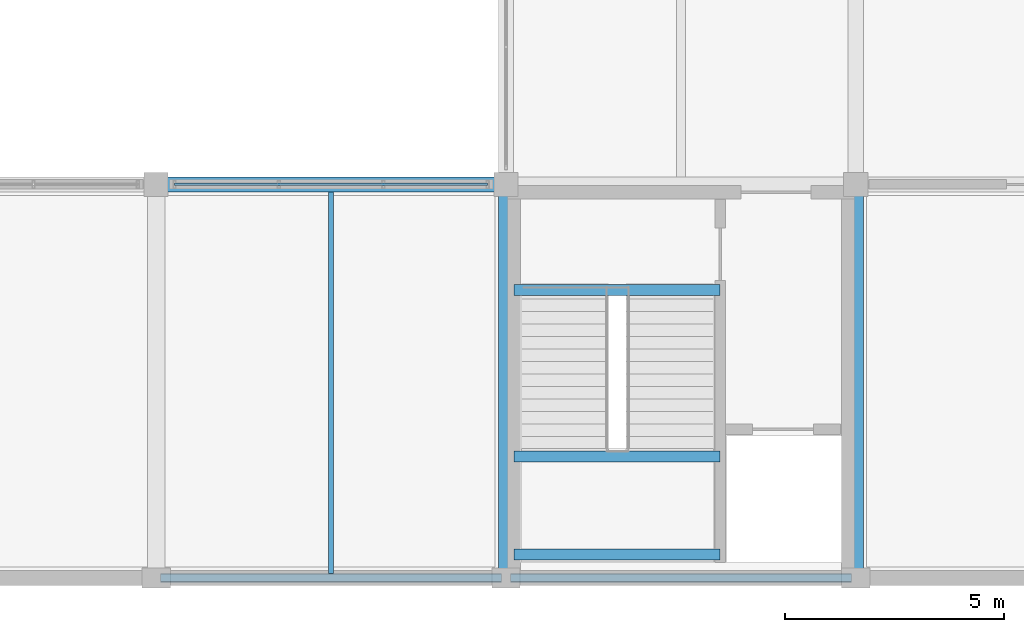
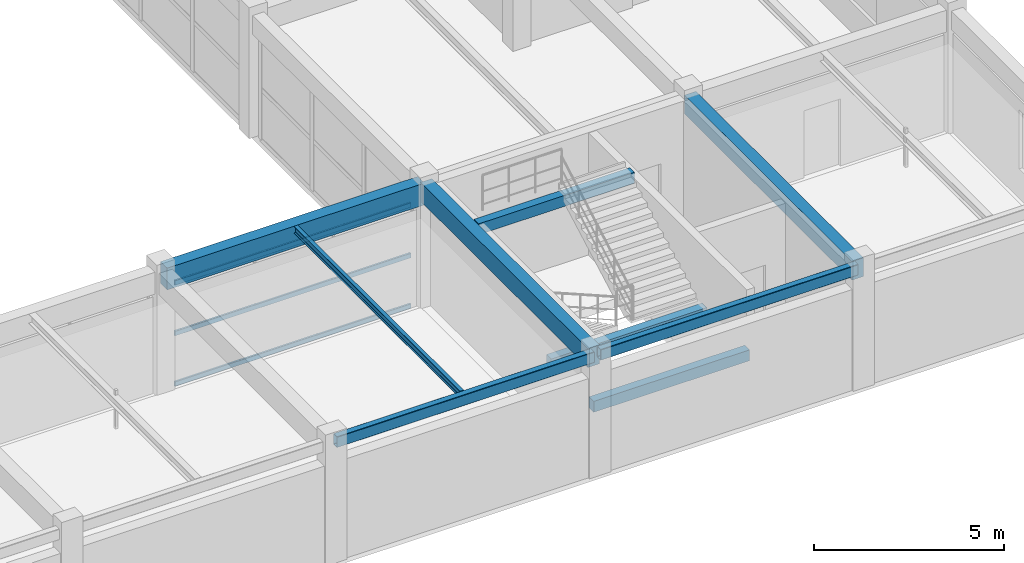
# One storey, part 17 of 63: 9 beams, 3 members, 1 element without a shape of its own.
"""IFC4 building model written with IfcOpenShell, lengths in metres."""

from ifc_helpers import new_model, si_unit, direction, frame, origin, origin_2d, place, context, subcontext, project, spatial, rectangle, hollow_rectangle, i_section, extrude, material, material_profile, profile_set, type_object, element, aggregate, save


model = new_model("IFC4")

# Units and contexts
model_context = context("Model", 3, precision=1e-05, world=origin(), true_north=direction((0.0, 1.0)))
body_context = subcontext(model_context, "Body", "Model", "MODEL_VIEW")
ifc_project = project(units=[si_unit("LENGTHUNIT", "METRE"), si_unit("AREAUNIT", "SQUARE_METRE"), si_unit("VOLUMEUNIT", "CUBIC_METRE"), si_unit("PLANEANGLEUNIT", "RADIAN"), si_unit("MASSUNIT", "GRAM", prefix="KILO")], contexts=[model_context])

# Site, building, storey
site_placement = place(None, origin())
site = spatial("IfcSite", under=ifc_project, at=site_placement, CompositionType="ELEMENT")
building_placement = place(site_placement, origin())
building = spatial("IfcBuilding", under=site, at=building_placement, Name="Varnabhumi Central Station", CompositionType="ELEMENT")
storey_placement = place(building_placement, frame((0.0, 0.0, 20.39990234375)))
storey = spatial("IfcBuildingStorey", under=building, at=storey_placement, Name="L04", CompositionType="ELEMENT", Elevation=20.39990234375)

# Beams
ifc_material_1 = material(Name="Concrete M35", Category="concrete")
ifc_material_profile_1 = material_profile(ifc_material_1, rectangle(XDim=0.25, YDim=0.35009765625, at=origin_2d()), Name="Concrete M35", Category="concrete")
ifc_profile_set_1 = profile_set([ifc_material_profile_1], Name="Concrete M35")
beam_type_1 = type_object("IfcBeamType", Name="BM-RC-250x350", PredefinedType="LINTEL", material=ifc_profile_set_1)
for number, where, z_axis, x_axis, name in (
    (1, (144.179931640625, 0.5400390625, 1.7451171875), (1.0, 0.0, 0.0), (0.0, 1.0, 0.0), "ST-S3 L04 Half Landing Support Beam 1"),
    (2, (144.179931640625, 2.77490234375, 1.7451171875), (1.0, 0.0, 0.0), (0.0, 1.0, 0.0), "ST-S3 L04 Half Landing Support Beam 2"),
    (3, (144.179931640625, 6.580078125, 3.775146484375), (1.0, 0.0, 0.0), (0.0, 1.0, 0.0), "ST-S3 L04 Floor Opening Trimmer Beam"),
):
    element("IfcBeam", number, at=place(storey_placement, frame(where, z_axis=z_axis, x_axis=x_axis)), inside=storey, type_object=beam_type_1, Name=name, PredefinedType="LINTEL", context=body_context, shape_type="SweptSolid", body=[
        extrude(rectangle(XDim=0.25, YDim=0.35009765625, at=origin_2d()), origin(), (0.0, 0.0, 1.0), 4.719970703125),
    ])
ifc_material_2 = material(Name="Concrete M40", Category="concrete")
ifc_material_profile_2 = material_profile(ifc_material_2, rectangle(XDim=0.35009765625, YDim=0.60009765625, at=origin_2d()), Name="Concrete M40", Category="concrete")
ifc_profile_set_2 = profile_set([ifc_material_profile_2], Name="Concrete M40")
beam_type_2 = type_object("IfcBeamType", Name="BM-RC-350x600", PredefinedType="BEAM", material=ifc_profile_set_2)
for number, where, z_axis, x_axis, name in (
    (4, (144.0, 0.10009765625, 3.6201171875), (0.0, 1.0, 0.0), (-1.0, 0.0, 0.0), "Beam L04-19:A-B"),
    (5, (152.0, 0.10009765625, 3.6201171875), (0.0, 1.0, 0.0), (-1.0, 0.0, 0.0), "Beam L04-20:A-B"),
):
    element("IfcBeam", number, at=place(storey_placement, frame(where, z_axis=z_axis, x_axis=x_axis)), inside=storey, type_object=beam_type_2, Name=name, PredefinedType="BEAM", context=body_context, shape_type="SweptSolid", body=[
        extrude(rectangle(XDim=0.35009765625, YDim=0.60009765625, at=origin_2d()), origin(), (0.0, 0.0, 1.0), 8.7998046875),
    ])
ifc_material_profile_3 = material_profile(ifc_material_2, rectangle(XDim=0.35009765625, YDim=0.699951171875, at=origin_2d()), Name="Concrete M40", Category="concrete")
ifc_profile_set_3 = profile_set([ifc_material_profile_3], Name="Concrete M40")
beam_type_3 = type_object("IfcBeamType", Name="BM-RC-350x700", PredefinedType="BEAM", material=ifc_profile_set_3)
beam_1_placement = place(storey_placement, frame((136.10009765625, 9.0, 3.570068359375), z_axis=(1.0, 0.0, 0.0), x_axis=(0.0, 1.0, 0.0)))
element("IfcBeam", 6, at=beam_1_placement, inside=storey, type_object=beam_type_3, Name="Beam L04-B:18-19", PredefinedType="BEAM", context=body_context, shape_type="SweptSolid", body=[
    extrude(rectangle(XDim=0.35009765625, YDim=0.699951171875, at=origin_2d()), origin(), (0.0, 0.0, 1.0), 7.7998046875),
])
ifc_material_3 = material(Name="Structural steel E350", Category="steel")
ifc_material_profile_4 = material_profile(ifc_material_3, i_section(OverallWidth=0.110107421875, OverallDepth=0.22509765625, WebThickness=0.006591796875, FlangeThickness=0.01171875, FilletRadius=0.011962890625, at=origin_2d()), Name="Structural steel E350", Category="steel")
ifc_profile_set_4 = profile_set([ifc_material_profile_4], Name="Structural steel E350")
beam_type_4 = type_object("IfcBeamType", Name="BM-STL-ISMB225", PredefinedType="JOIST", material=ifc_profile_set_4)
beam_2_placement = place(storey_placement, frame((140.0, 0.10009765625, 3.8076171875), z_axis=(0.0, 1.0, 0.0), x_axis=(-1.0, 0.0, 0.0)))
element("IfcBeam", 7, at=beam_2_placement, inside=storey, type_object=beam_type_4, Name="Secondary Joist L04-18/19:A-B", PredefinedType="JOIST", context=body_context, shape_type="SweptSolid", body=[
    extrude(i_section(OverallWidth=0.110107421875, OverallDepth=0.22509765625, WebThickness=0.006591796875, FlangeThickness=0.01171875, FilletRadius=0.011962890625, at=origin_2d()), origin(), (0.0, 0.0, 1.0), 8.724853515625),
])
ifc_material_profile_5 = material_profile(ifc_material_3, hollow_rectangle(XDim=0.199951171875, YDim=0.35009765625, WallThickness=0.011962890625, InnerFilletRadius=0.011962890625, OuterFilletRadius=0.02392578125, at=origin_2d()), Name="Structural steel E350", Category="steel")
ifc_profile_set_5 = profile_set([ifc_material_profile_5], Name="Structural steel E350")
beam_type_5 = type_object("IfcBeamType", Name="BM-STL-RHS350", PredefinedType="SPANDREL", material=ifc_profile_set_5)
for number, where, z_axis, x_axis, name in (
    (8, (136.10009765625, 0.0, 3.7451171875), (1.0, 0.0, 0.0), (0.0, 1.0, 0.0), "Beam L04-A:18-19"),
    (9, (144.10009765625, 0.0, 3.7451171875), (1.0, 0.0, 0.0), (0.0, 1.0, 0.0), "Beam L04-A:19-20"),
):
    element("IfcBeam", number, at=place(storey_placement, frame(where, z_axis=z_axis, x_axis=x_axis)), inside=storey, type_object=beam_type_5, Name=name, PredefinedType="SPANDREL", context=body_context, shape_type="SweptSolid", body=[
        extrude(hollow_rectangle(XDim=0.199951171875, YDim=0.35009765625, WallThickness=0.011962890625, InnerFilletRadius=0.011962890625, OuterFilletRadius=0.02392578125, at=origin_2d()), origin(), (0.0, 0.0, 1.0), 7.7998046875),
    ])

# Curtain wall, members
ifc_material_4 = material(Name="Anodised aluminium 6063-T6", Category="aluminium")
curtain_wall_type = type_object("IfcCurtainWallType", Name="CW-PATIO-LOGGIA-L3", PredefinedType="NOTDEFINED", material=ifc_material_4)
curtain_wall_placement = place(storey_placement, origin())
curtain_wall = element("IfcCurtainWall", 10, at=curtain_wall_placement, inside=storey, type_object=curtain_wall_type, Name="Curtain Wall CW-SP4S4", PredefinedType="NOTDEFINED")
ifc_material_profile_6 = material_profile(ifc_material_4, hollow_rectangle(XDim=0.06005859375, YDim=0.14990234375, WallThickness=0.00390625, InnerFilletRadius=0.001953125, OuterFilletRadius=0.006103515625, at=origin_2d()), Name="Anodised aluminium 6063-T6", Category="aluminium")
ifc_profile_set_6 = profile_set([ifc_material_profile_6], Name="Anodised aluminium 6063-T6")
member_type = type_object("IfcMemberType", Name="CW-TR-150", PredefinedType="USERDEFINED", material=ifc_profile_set_6)
member_1_placement = place(storey_placement, frame((136.419921875, 9.0, 0.0), z_axis=(1.0, 0.0, 0.0), x_axis=(0.0, 1.0, 0.0)))
member_1 = element("IfcMember", 11, at=member_1_placement, type_object=member_type, Name="Curtain Wall Transom CW-SP4S4-T1", ObjectType="TRANSOM", PredefinedType="USERDEFINED", context=body_context, shape_type="SweptSolid", body=[
    extrude(hollow_rectangle(XDim=0.06005859375, YDim=0.14990234375, WallThickness=0.00390625, InnerFilletRadius=0.001953125, OuterFilletRadius=0.006103515625, at=origin_2d()), origin(), (0.0, 0.0, 1.0), 7.16015625),
])
member_2_placement = place(storey_placement, frame((136.419921875, 9.0, 1.6201171875), z_axis=(1.0, 0.0, 0.0), x_axis=(0.0, 1.0, 0.0)))
member_2 = element("IfcMember", 12, at=member_2_placement, type_object=member_type, Name="Curtain Wall Transom CW-SP4S4-T2", ObjectType="TRANSOM", PredefinedType="USERDEFINED", context=body_context, shape_type="SweptSolid", body=[
    extrude(hollow_rectangle(XDim=0.06005859375, YDim=0.14990234375, WallThickness=0.00390625, InnerFilletRadius=0.001953125, OuterFilletRadius=0.006103515625, at=origin_2d()), origin(), (0.0, 0.0, 1.0), 7.16015625),
])
member_3_placement = place(storey_placement, frame((136.419921875, 9.0, 3.239990234375), z_axis=(1.0, 0.0, 0.0), x_axis=(0.0, 1.0, 0.0)))
member_3 = element("IfcMember", 13, at=member_3_placement, type_object=member_type, Name="Curtain Wall Transom CW-SP4S4-T3", ObjectType="TRANSOM", PredefinedType="USERDEFINED", context=body_context, shape_type="SweptSolid", body=[
    extrude(hollow_rectangle(XDim=0.06005859375, YDim=0.14990234375, WallThickness=0.00390625, InnerFilletRadius=0.001953125, OuterFilletRadius=0.006103515625, at=origin_2d()), origin(), (0.0, 0.0, 1.0), 7.16015625),
])
aggregate(curtain_wall, [member_1, member_2, member_3])

save(model, "model.ifc")
